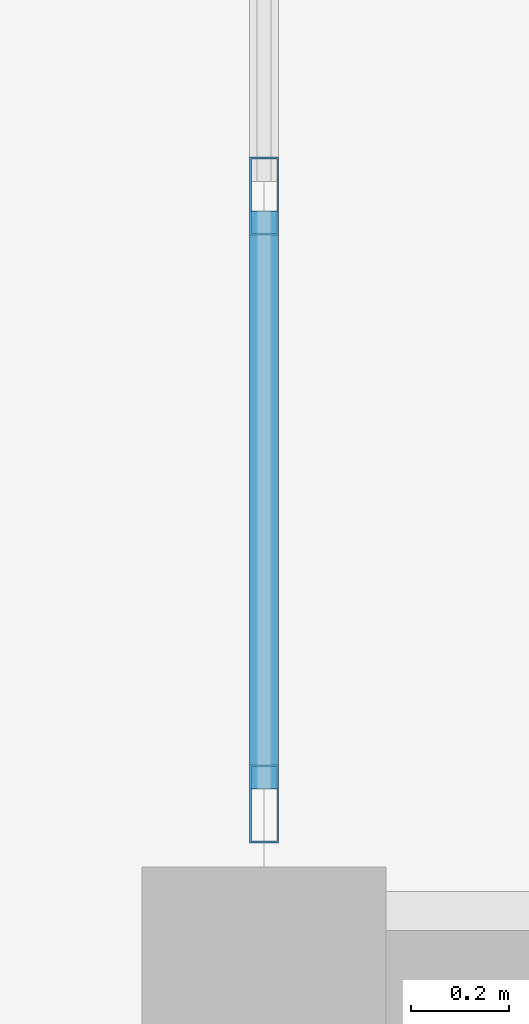
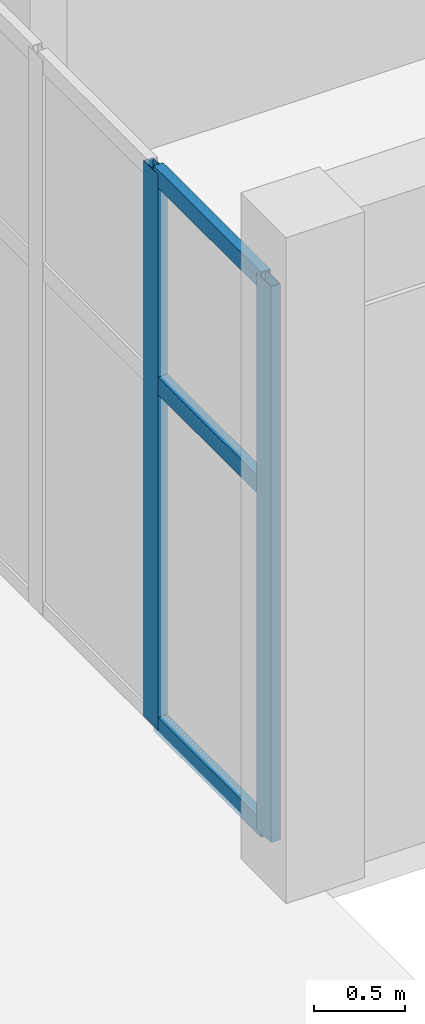
# One storey, part 17 of 132: 5 members, 1 element without a shape of its own.
"""IFC4 building model written with IfcOpenShell, lengths in metres."""

from ifc_helpers import new_model, si_unit, direction, frame, origin, origin_2d, place, context, subcontext, project, spatial, hollow_rectangle, extrude, material, material_profile, profile_set, type_object, element, aggregate, save


model = new_model("IFC4")

# Units and contexts
model_context = context("Model", 3, precision=1e-05, world=origin(), true_north=direction((0.0, 1.0)))
body_context = subcontext(model_context, "Body", "Model", "MODEL_VIEW")
ifc_project = project(units=[si_unit("LENGTHUNIT", "METRE"), si_unit("AREAUNIT", "SQUARE_METRE"), si_unit("VOLUMEUNIT", "CUBIC_METRE"), si_unit("PLANEANGLEUNIT", "RADIAN"), si_unit("MASSUNIT", "GRAM", prefix="KILO")], contexts=[model_context])

# Site, building, storey
site_placement = place(None, origin())
site = spatial("IfcSite", under=ifc_project, at=site_placement, CompositionType="ELEMENT")
building_placement = place(site_placement, origin())
building = spatial("IfcBuilding", under=site, at=building_placement, Name="Tanwirah Colonnade Gardens", CompositionType="ELEMENT")
storey_placement = place(building_placement, origin())
storey = spatial("IfcBuildingStorey", under=building, at=storey_placement, Name="L00", CompositionType="ELEMENT", Elevation=0.0)

# Curtain wall, members
ifc_material_1 = material(Name="Bronze-anodised aluminium and solar-control low-E glass", Category="aluminium")
curtain_wall_type = type_object("IfcCurtainWallType", Name="CW-SHP", PredefinedType="NOTDEFINED", material=ifc_material_1)
curtain_wall_placement = place(storey_placement, origin())
curtain_wall = element("IfcCurtainWall", 1, at=curtain_wall_placement, inside=storey, type_object=curtain_wall_type, Name="Curtain Wall CW-SHP-E-L00-W-1", PredefinedType="NOTDEFINED")
ifc_material_2 = material(Name="Bronze-anodised aluminium", Category="aluminium")
ifc_material_profile_1 = material_profile(ifc_material_2, hollow_rectangle(XDim=0.06005859375, YDim=0.159912109375, WallThickness=0.00390625, at=origin_2d()), Name="CW-MUL 60x160x4")
ifc_profile_set_1 = profile_set([ifc_material_profile_1], Name="Bronze-anodised aluminium")
member_type_1 = type_object("IfcMemberType", Name="CWM-60x160", PredefinedType="MULLION", material=ifc_profile_set_1)
member_1_placement = place(storey_placement, frame((102.0, 16.97998046875, 0.0), z_axis=(0.0, 0.0, 1.0), x_axis=(-1.0, 0.0, 0.0)))
member_1 = element("IfcMember", 2, at=member_1_placement, type_object=member_type_1, Name="CW-SHP mullion 1", PredefinedType="MULLION", context=body_context, shape_type="SweptSolid", body=[
    extrude(hollow_rectangle(XDim=0.06005859375, YDim=0.159912109375, WallThickness=0.00390625, at=origin_2d()), origin(), (0.0, 0.0, 1.0), 3.75),
])
member_2_placement = place(storey_placement, frame((102.0, 18.22509765625, 0.0), z_axis=(0.0, 0.0, 1.0), x_axis=(-1.0, 0.0, 0.0)))
member_2 = element("IfcMember", 3, at=member_2_placement, type_object=member_type_1, Name="CW-SHP mullion 2", PredefinedType="MULLION", context=body_context, shape_type="SweptSolid", body=[
    extrude(hollow_rectangle(XDim=0.06005859375, YDim=0.159912109375, WallThickness=0.00390625, at=origin_2d()), origin(), (0.0, 0.0, 1.0), 3.75),
])
ifc_material_profile_2 = material_profile(ifc_material_2, hollow_rectangle(XDim=0.06005859375, YDim=0.1201171875, WallThickness=0.00390625, at=origin_2d()), Name="CW-TRN 60x120x4")
ifc_profile_set_2 = profile_set([ifc_material_profile_2], Name="Bronze-anodised aluminium")
member_type_2 = type_object("IfcMemberType", Name="CWT-60x120", PredefinedType="USERDEFINED", material=ifc_profile_set_2)
member_3_placement = place(storey_placement, frame((102.0, 17.010009765625, 0.030029296875), z_axis=(0.0, 1.0, 0.0), x_axis=(-1.0, 0.0, 0.0)))
member_3 = element("IfcMember", 4, at=member_3_placement, type_object=member_type_2, Name="CW-SHP transom 1.1", ObjectType="TRANSOM", PredefinedType="USERDEFINED", context=body_context, shape_type="SweptSolid", body=[
    extrude(hollow_rectangle(XDim=0.06005859375, YDim=0.1201171875, WallThickness=0.00390625, at=origin_2d()), origin(), (0.0, 0.0, 1.0), 1.18505859375),
])
member_4_placement = place(storey_placement, frame((102.0, 17.010009765625, 2.324951171875), z_axis=(0.0, 1.0, 0.0), x_axis=(-1.0, 0.0, 0.0)))
member_4 = element("IfcMember", 5, at=member_4_placement, type_object=member_type_2, Name="CW-SHP transom 1.2", ObjectType="TRANSOM", PredefinedType="USERDEFINED", context=body_context, shape_type="SweptSolid", body=[
    extrude(hollow_rectangle(XDim=0.06005859375, YDim=0.1201171875, WallThickness=0.00390625, at=origin_2d()), origin(), (0.0, 0.0, 1.0), 1.18505859375),
])
member_5_placement = place(storey_placement, frame((102.0, 17.010009765625, 3.719970703125), z_axis=(0.0, 1.0, 0.0), x_axis=(-1.0, 0.0, 0.0)))
member_5 = element("IfcMember", 6, at=member_5_placement, type_object=member_type_2, Name="CW-SHP transom 1.3", ObjectType="TRANSOM", PredefinedType="USERDEFINED", context=body_context, shape_type="SweptSolid", body=[
    extrude(hollow_rectangle(XDim=0.06005859375, YDim=0.1201171875, WallThickness=0.00390625, at=origin_2d()), origin(), (0.0, 0.0, 1.0), 1.18505859375),
])
aggregate(curtain_wall, [member_1, member_2, member_3, member_4, member_5])

save(model, "model.ifc")
